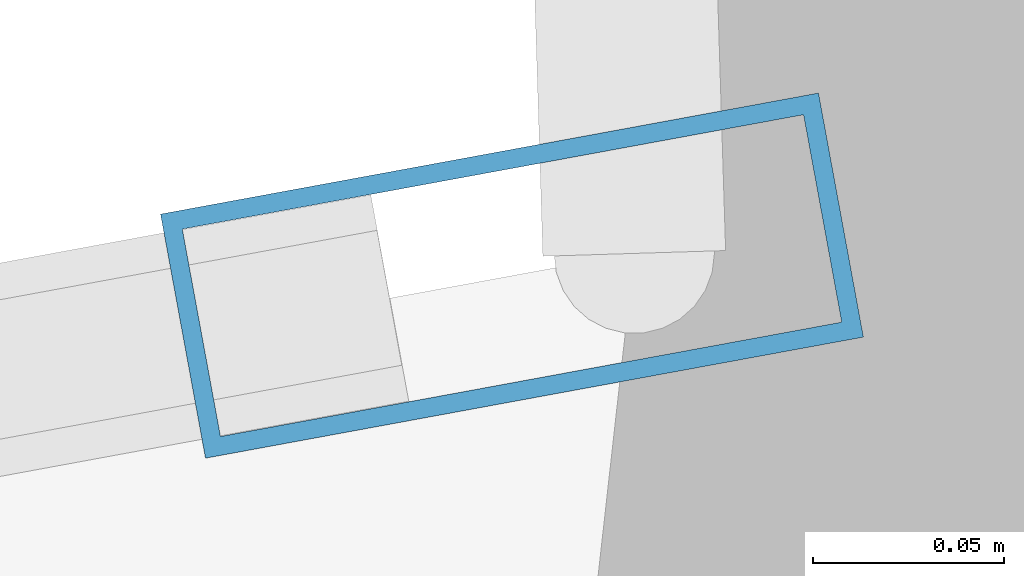
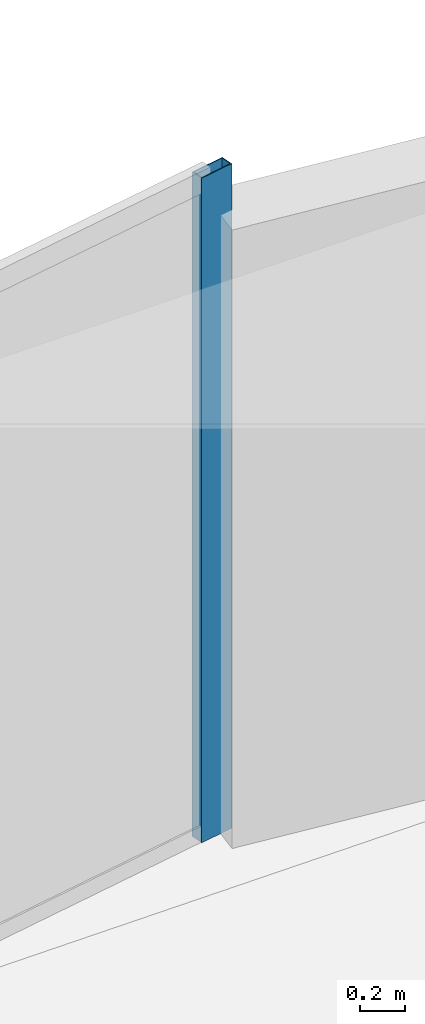
# One storey, part 16 of 23: 1 member, 1 element without a shape of its own.
"""IFC4 building model written with IfcOpenShell, lengths in metres."""

from ifc_helpers import new_model, si_unit, direction, frame, origin, origin_2d, place, context, subcontext, project, spatial, hollow_rectangle, extrude, source, transform, mapped, material, layer, layer_set, material_profile, profile_set, type_object, element, aggregate, save


model = new_model("IFC4")

# Units and contexts
model_context = context("Model", 3, precision=1e-05, world=origin(), true_north=direction((0.0, 1.0)))
body_context = subcontext(model_context, "Body", "Model", "MODEL_VIEW")
ifc_project = project(units=[si_unit("LENGTHUNIT", "METRE"), si_unit("AREAUNIT", "SQUARE_METRE"), si_unit("VOLUMEUNIT", "CUBIC_METRE"), si_unit("PLANEANGLEUNIT", "RADIAN"), si_unit("MASSUNIT", "GRAM", prefix="KILO")], contexts=[model_context])

# Site, building, storey
site_placement = place(None, origin())
site = spatial("IfcSite", under=ifc_project, at=site_placement, CompositionType="ELEMENT")
building_placement = place(site_placement, origin())
building = spatial("IfcBuilding", under=site, at=building_placement, Name="Solvirekh Grand Hotel", CompositionType="ELEMENT")
storey_placement = place(building_placement, frame((0.0, 0.0, 109.800048828125)))
storey = spatial("IfcBuildingStorey", under=building, at=storey_placement, Name="L27", CompositionType="ELEMENT", Elevation=109.800048828125)

# Curtain wall, member
ifc_material = material(Name="Anodized Bronze Aluminium 6063-T6", Category="aluminium")
ifc_layer = layer(ifc_material, 0.175048828125)
ifc_layer_set = layer_set([ifc_layer], Name="Anodized Bronze Aluminium 6063-T6")
curtain_wall_type = type_object("IfcCurtainWallType", Name="CW_Sys3_MidZoneFlushBronzeCW", PredefinedType="NOTDEFINED", material=ifc_layer_set)
curtain_wall_placement = place(storey_placement, origin())
curtain_wall = element("IfcCurtainWall", 1, at=curtain_wall_placement, inside=storey, type_object=curtain_wall_type, Name="L27 unitised bronze-glass curtain wall CW-L27-C08", PredefinedType="NOTDEFINED")
ifc_material_profile = material_profile(ifc_material, hollow_rectangle(XDim=0.06494140625, YDim=0.175048828125, WallThickness=0.0048828125, at=origin_2d()), Name="ALU RHS 175X65X5")
ifc_profile_set = profile_set([ifc_material_profile], Name="Anodized Bronze Aluminium 6063-T6")
member_type = type_object("IfcMemberType", Name="CWMullion_Sys3", PredefinedType="MULLION", material=ifc_profile_set)
shared_shape = source(origin(), body_context, "Body", "SweptSolid", [
    extrude(hollow_rectangle(XDim=0.06494140625, YDim=0.175048828125, WallThickness=0.0048828125, at=origin_2d()), origin(), (0.0, 0.0, 1.0), 3.599853515625),
])
member_placement = place(storey_placement, frame((-3.242919921875, 21.26708984375, 0.0), z_axis=(0.0, 0.0, 1.0), x_axis=(0.180987633873, -0.983485371719, 0.0)))
member = element("IfcMember", 2, at=member_placement, type_object=member_type, Name="U03 mullion 1", PredefinedType="MULLION", context=body_context, shape_type="MappedRepresentation", body=[
    mapped(shared_shape, transform((0.0, 0.0, 0.0), x_axis=(1.0, 0.0, 0.0), y_axis=(0.0, 1.0, 0.0), z_axis=(0.0, 0.0, 1.0), scale=1.0)),
])
aggregate(curtain_wall, [member])

save(model, "model.ifc")
